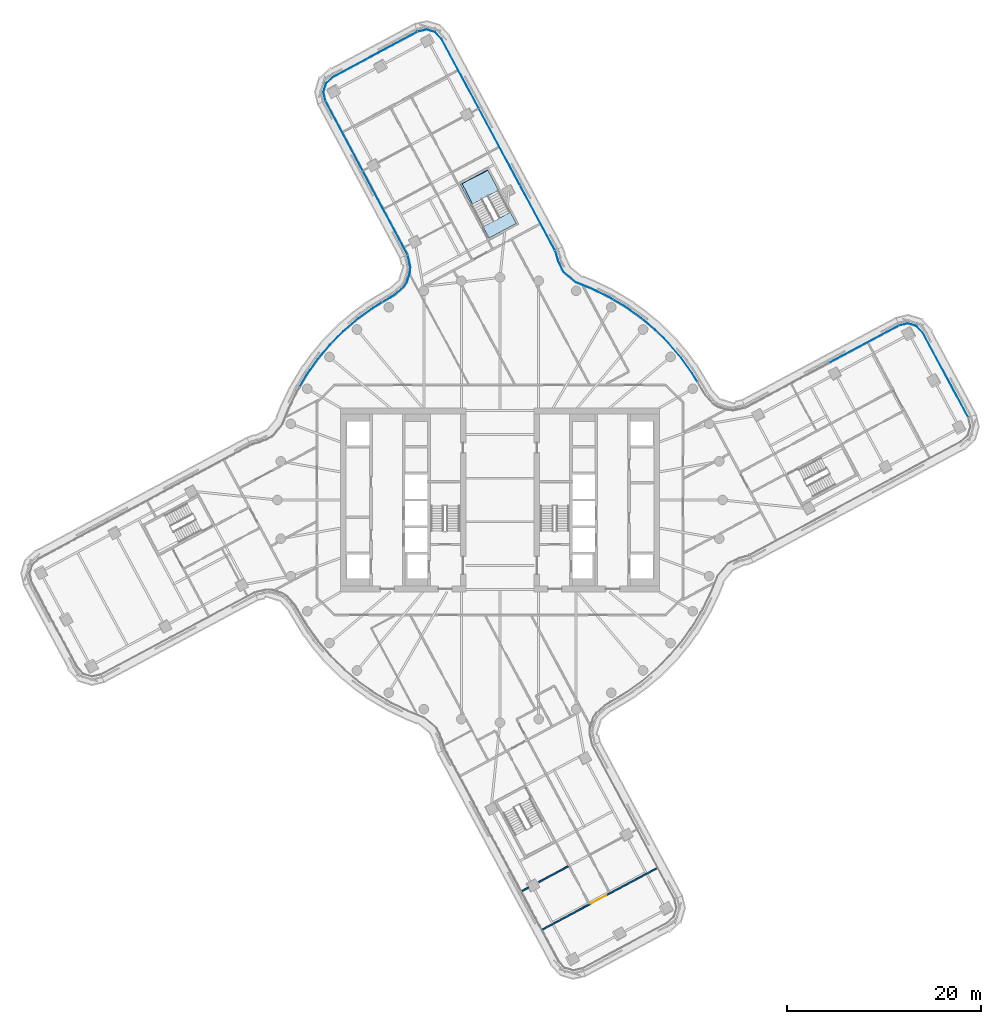
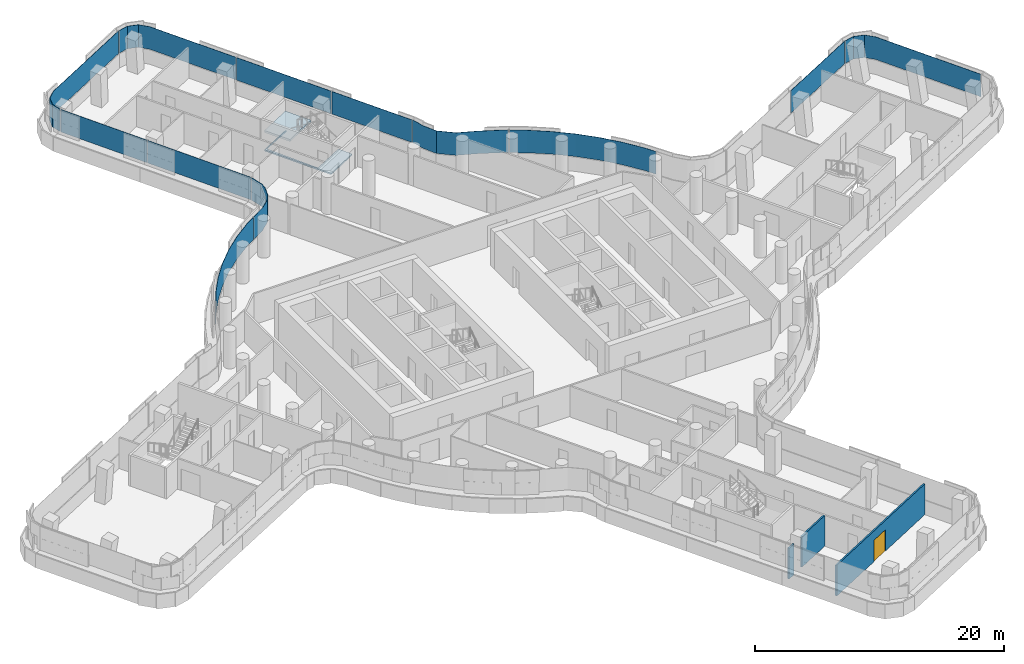
# One storey, part 18 of 33: 12 plates, 3 walls, 2 slabs, 1 door, 1 opening, 8 elements without a shape of their own.
"""IFC4 building model written with IfcOpenShell, lengths in metres."""

from ifc_helpers import new_model, si_unit, direction, frame, frame_2d, origin, place, context, subcontext, project, spatial, polyline, rectangle, outline, extrude, material, layer, layer_set, type_object, element, fill, aggregate, save


model = new_model("IFC4")

# Units and contexts
model_context = context("Model", 3, precision=1e-05, world=origin(), true_north=direction((0.0, 1.0)))
body_context = subcontext(model_context, "Body", "Model", "MODEL_VIEW")
ifc_project = project(units=[si_unit("LENGTHUNIT", "METRE"), si_unit("AREAUNIT", "SQUARE_METRE"), si_unit("VOLUMEUNIT", "CUBIC_METRE"), si_unit("PLANEANGLEUNIT", "RADIAN"), si_unit("MASSUNIT", "GRAM", prefix="KILO")], contexts=[model_context])

# Site, building, storey
site_placement = place(None, origin())
site = spatial("IfcSite", under=ifc_project, at=site_placement, CompositionType="ELEMENT")
building_placement = place(site_placement, origin())
building = spatial("IfcBuilding", under=site, at=building_placement, Name="Tamarind Cross Interchange Tower", CompositionType="ELEMENT")
storey_placement = place(building_placement, frame((0.0, 0.0, 136.75)))
storey = spatial("IfcBuildingStorey", under=building, at=storey_placement, Name="L33", CompositionType="ELEMENT", Elevation=136.75)

# Slab
ifc_material_1 = material(Name="Concrete C35", Category="concrete")
ifc_layer_1 = layer(ifc_material_1, 0.139892578125)
ifc_layer_set_1 = layer_set([ifc_layer_1], Name="Concrete C35")
slab_type_1 = type_object("IfcSlabType", Name="Composite slab 140 Concrete C35", PredefinedType="FLOOR", material=ifc_layer_set_1)
slab_1_placement = place(storey_placement, frame((0.0, 0.0, -0.139892578125)))
element("IfcSlab", 1, at=slab_1_placement, inside=storey, type_object=slab_type_1, Name="Floor slab L33", PredefinedType="FLOOR", context=body_context, shape_type="SweptSolid", body=[
    extrude(outline(polyline([(-1.1298828125, 27.06787109375), (1.690185546875, 28.58056640625), (1.109130859375, 29.663818359375), (1.070068359375, 29.73681640625), (-1.648193359375, 28.278564453125), (-3.91357421875, 32.692626953125), (-1.2490234375, 34.06005859375), (-1.287841796875, 34.132080078125), (-4.10791015625, 32.61962890625), (-1.1298828125, 27.06787109375)])), origin(), (0.0, 0.0, 1.0), 0.139892578125),
])

# Stair, slab
ifc_material_2 = material(Name="Exit stair")
stair_type = type_object("IfcStairType", Name="Exit stair", PredefinedType="HALF_TURN_STAIR", material=ifc_material_2)
stair_placement = place(storey_placement, origin())
stair = element("IfcStair", 2, at=stair_placement, inside=storey, type_object=stair_type, Name="L33 exit stair ST4", PredefinedType="HALF_TURN_STAIR")
ifc_material_3 = material(Name="Concrete C40", Category="concrete")
ifc_layer_2 = layer(ifc_material_3, 0.199951171875)
ifc_layer_set_2 = layer_set([ifc_layer_2], Name="Concrete C40")
slab_type_2 = type_object("IfcSlabType", Name="Stair landing", PredefinedType="LANDING", material=ifc_layer_set_2)
slab_2_placement = place(storey_placement, frame((0.0, 0.0, 1.675048828125)))
slab_2 = element("IfcSlab", 3, at=slab_2_placement, type_object=slab_type_2, Name="ST4 landing 1", PredefinedType="LANDING", context=body_context, shape_type="SweptSolid", body=[
    extrude(outline(polyline([(-0.147705078125, 32.0068359375), (-1.287841796875, 34.13232421875), (-4.107666015625, 32.61962890625), (-2.967529296875, 30.494140625), (-0.147705078125, 32.0068359375)])), origin(), (0.0, 0.0, 1.0), 0.199951171875),
])
aggregate(stair, [slab_2])

# Curtain wall, plate
ifc_material_4 = material(Name="Aluminium 6063-T6", Category="aluminium")
ifc_layer_3 = layer(ifc_material_4, 0.159912109375)
ifc_layer_set_3 = layer_set([ifc_layer_3], Name="Aluminium 6063-T6")
curtain_wall_type = type_object("IfcCurtainWallType", Name="Office curtain wall, 9.0 m bays", PredefinedType="NOTDEFINED", material=ifc_layer_set_3)
curtain_wall_1_placement = place(storey_placement, origin())
curtain_wall_1 = element("IfcCurtainWall", 4, at=curtain_wall_1_placement, inside=storey, type_object=curtain_wall_type, Name="CWS-L33-00", PredefinedType="NOTDEFINED")
ifc_material_5 = material(Name="Laminated low-e glass 8+1.52+8", Category="glass")
ifc_layer_4 = layer(ifc_material_5, 0.028076171875)
ifc_layer_set_4 = layer_set([ifc_layer_4], Name="Laminated low-e glass 8+1.52+8")
plate_type = type_object("IfcPlateType", Name="Vision panel CW1", PredefinedType="CURTAIN_PANEL", material=ifc_layer_set_4)
plate_1_placement = place(storey_placement, frame((0.0, 0.0, 1.39990234375)))
plate_1 = element("IfcPlate", 5, at=plate_1_placement, type_object=plate_type, Name="CWP-L33-00-00", PredefinedType="CURTAIN_PANEL", context=body_context, shape_type="SweptSolid", body=[
    extrude(outline(polyline([(-8.535888671875, 48.371337890625), (-17.273681640625, 43.684326171875), (-17.9658203125, 43.0341796875), (-18.23193359375, 42.15283203125), (-18.021240234375, 41.25537109375), (-18.048583984375, 41.2490234375), (-18.2607421875, 42.153564453125), (-17.990478515625, 43.04931640625), (-17.290283203125, 43.707275390625), (-8.549072265625, 48.39599609375), (-8.535888671875, 48.371337890625)])), origin(), (0.0, 0.0, 1.0), 2.210205078125),
])
aggregate(curtain_wall_1, [plate_1])

# Curtain wall, plates
curtain_wall_2_placement = place(storey_placement, origin())
curtain_wall_2 = element("IfcCurtainWall", 6, at=curtain_wall_2_placement, inside=storey, type_object=curtain_wall_type, Name="CWS-L33-01", PredefinedType="NOTDEFINED")
plate_2_placement = place(storey_placement, frame((0.0, 0.0, 1.39990234375)))
plate_2 = element("IfcPlate", 7, at=plate_2_placement, type_object=plate_type, Name="CWP-L33-01-00", PredefinedType="CURTAIN_PANEL", context=body_context, shape_type="SweptSolid", body=[
    extrude(outline(polyline([(-18.00146484375, 41.203125), (-14.17333984375, 34.03271484375), (-14.197998046875, 34.01953125), (-18.026123046875, 41.18994140625), (-18.00146484375, 41.203125)])), origin(), (0.0, 0.0, 1.0), 2.210205078125),
])
plate_3_placement = place(storey_placement, frame((0.0, 0.0, 1.39990234375)))
plate_3 = element("IfcPlate", 8, at=plate_3_placement, type_object=plate_type, Name="CWP-L33-01-01", PredefinedType="CURTAIN_PANEL", context=body_context, shape_type="SweptSolid", body=[
    extrude(outline(polyline([(-14.145263671875, 33.979736328125), (-9.54248046875, 25.358154296875), (-9.567138671875, 25.344970703125), (-14.169921875, 33.966552734375), (-14.145263671875, 33.979736328125)])), origin(), (0.0, 0.0, 1.0), 2.210205078125),
])
aggregate(curtain_wall_2, [plate_2, plate_3])

curtain_wall_3_placement = place(storey_placement, origin())
curtain_wall_3 = element("IfcCurtainWall", 9, at=curtain_wall_3_placement, inside=storey, type_object=curtain_wall_type, Name="CWS-L33-02", PredefinedType="NOTDEFINED")
plate_4_placement = place(storey_placement, frame((0.0, 0.0, 1.39990234375)))
plate_4 = element("IfcPlate", 10, at=plate_4_placement, type_object=plate_type, Name="CWP-L33-02-00", PredefinedType="CURTAIN_PANEL", context=body_context, shape_type="SweptSolid", body=[
    extrude(outline(polyline([(-9.520263671875, 25.299072265625), (-9.2509765625, 24.118408203125), (-9.2763671875, 23.541259765625), (-9.6162109375, 22.487060546875), (-9.932861328125, 22.003662109375), (-10.859130859375, 21.1865234375), (-11.402587890625, 20.870361328125), (-12.14697265625, 20.42236328125), (-12.161376953125, 20.4462890625), (-11.416748046875, 20.894287109375), (-10.87548828125, 21.20947265625), (-9.9541015625, 22.022216796875), (-9.6416015625, 22.499267578125), (-9.303955078125, 23.546142578125), (-9.279052734375, 24.115966796875), (-9.547607421875, 25.292724609375), (-9.520263671875, 25.299072265625)])), origin(), (0.0, 0.0, 1.0), 2.210205078125),
])
plate_5_placement = place(storey_placement, frame((0.0, 0.0, 1.39990234375)))
plate_5 = element("IfcPlate", 11, at=plate_5_placement, type_object=plate_type, Name="CWP-L33-02-01", PredefinedType="CURTAIN_PANEL", context=body_context, shape_type="SweptSolid", body=[
    extrude(outline(polyline([(-12.198486328125, 20.391357421875), (-13.093017578125, 19.85302734375), (-14.687744140625, 18.7041015625), (-16.18212890625, 17.42724609375), (-17.56591796875, 16.031494140625), (-18.829833984375, 14.526123046875), (-19.965087890625, 12.921630859375), (-20.684814453125, 11.701904296875), (-20.708740234375, 11.71630859375), (-19.988525390625, 12.936767578125), (-18.85205078125, 14.543212890625), (-17.586669921875, 16.05029296875), (-16.201171875, 17.44775390625), (-14.705078125, 18.72607421875), (-13.1083984375, 19.87646484375), (-12.212890625, 20.415283203125), (-12.198486328125, 20.391357421875)])), origin(), (0.0, 0.0, 1.0), 2.210205078125),
])
aggregate(curtain_wall_3, [plate_4, plate_5])

# Curtain wall, plate
curtain_wall_4_placement = place(storey_placement, origin())
curtain_wall_4 = element("IfcCurtainWall", 12, at=curtain_wall_4_placement, inside=storey, type_object=curtain_wall_type, Name="CWS-L33-12", PredefinedType="NOTDEFINED")
plate_6_placement = place(storey_placement, frame((0.0, 0.0, 1.39990234375)))
plate_6 = element("IfcPlate", 13, at=plate_6_placement, type_object=plate_type, Name="CWP-L33-12-00", PredefinedType="CURTAIN_PANEL", context=body_context, shape_type="SweptSolid", body=[
    extrude(outline(polyline([(48.371337890625, 8.535888671875), (43.684326171875, 17.273681640625), (43.0341796875, 17.9658203125), (42.15283203125, 18.23193359375), (41.25537109375, 18.021240234375), (41.2490234375, 18.048583984375), (42.153564453125, 18.2607421875), (43.04931640625, 17.990478515625), (43.707275390625, 17.290283203125), (48.39599609375, 8.549072265625), (48.371337890625, 8.535888671875)])), origin(), (0.0, 0.0, 1.0), 2.210205078125),
])
aggregate(curtain_wall_4, [plate_6])

curtain_wall_5_placement = place(storey_placement, origin())
curtain_wall_5 = element("IfcCurtainWall", 14, at=curtain_wall_5_placement, inside=storey, type_object=curtain_wall_type, Name="CWS-L33-13", PredefinedType="NOTDEFINED")
plate_7_placement = place(storey_placement, frame((0.0, 0.0, 1.39990234375)))
plate_7 = element("IfcPlate", 15, at=plate_7_placement, type_object=plate_type, Name="CWP-L33-13-00", PredefinedType="CURTAIN_PANEL", context=body_context, shape_type="SweptSolid", body=[
    extrude(outline(polyline([(41.203125, 18.00146484375), (34.03271484375, 14.17333984375), (34.01953125, 14.197998046875), (41.18994140625, 18.026123046875), (41.203125, 18.00146484375)])), origin(), (0.0, 0.0, 1.0), 2.210205078125),
])
aggregate(curtain_wall_5, [plate_7])

# Curtain wall, plates
curtain_wall_6_placement = place(storey_placement, origin())
curtain_wall_6 = element("IfcCurtainWall", 16, at=curtain_wall_6_placement, inside=storey, type_object=curtain_wall_type, Name="CWS-L33-14", PredefinedType="NOTDEFINED")
plate_8_placement = place(storey_placement, frame((0.0, 0.0, 1.39990234375)))
plate_8 = element("IfcPlate", 17, at=plate_8_placement, type_object=plate_type, Name="CWP-L33-14-01", PredefinedType="CURTAIN_PANEL", context=body_context, shape_type="SweptSolid", body=[
    extrude(outline(polyline([(20.391357421875, 12.198486328125), (19.85302734375, 13.093017578125), (18.7041015625, 14.687744140625), (17.42724609375, 16.18212890625), (16.031494140625, 17.56591796875), (14.526123046875, 18.829833984375), (12.921630859375, 19.965087890625), (11.701904296875, 20.684814453125), (11.71630859375, 20.708740234375), (12.936767578125, 19.988525390625), (14.543212890625, 18.85205078125), (16.05029296875, 17.586669921875), (17.44775390625, 16.201171875), (18.72607421875, 14.705078125), (19.87646484375, 13.1083984375), (20.415283203125, 12.212890625), (20.391357421875, 12.198486328125)])), origin(), (0.0, 0.0, 1.0), 2.210205078125),
])
plate_9_placement = place(storey_placement, frame((0.0, 0.0, 1.39990234375)))
plate_9 = element("IfcPlate", 18, at=plate_9_placement, type_object=plate_type, Name="CWP-L33-14-02", PredefinedType="CURTAIN_PANEL", context=body_context, shape_type="SweptSolid", body=[
    extrude(outline(polyline([(11.650390625, 20.71533203125), (11.228759765625, 20.9638671875), (9.457275390625, 21.820556640625), (7.822998046875, 22.489990234375), (6.57470703125, 23.515625), (5.972412109375, 24.76123046875), (5.8369140625, 25.338134765625), (5.67236328125, 25.77294921875), (5.69873046875, 25.782958984375), (5.86376953125, 25.34619140625), (5.998779296875, 24.7705078125), (6.59716796875, 23.533447265625), (7.837646484375, 22.51416015625), (9.468505859375, 21.84619140625), (11.241943359375, 20.98876953125), (11.66455078125, 20.7392578125), (11.650390625, 20.71533203125)])), origin(), (0.0, 0.0, 1.0), 2.210205078125),
])
aggregate(curtain_wall_6, [plate_8, plate_9])

curtain_wall_7_placement = place(storey_placement, origin())
curtain_wall_7 = element("IfcCurtainWall", 19, at=curtain_wall_7_placement, inside=storey, type_object=curtain_wall_type, Name="CWS-L33-15", PredefinedType="NOTDEFINED")
plate_10_placement = place(storey_placement, frame((0.0, 0.0, 1.39990234375)))
plate_10 = element("IfcPlate", 20, at=plate_10_placement, type_object=plate_type, Name="CWP-L33-15-00", PredefinedType="CURTAIN_PANEL", context=body_context, shape_type="SweptSolid", body=[
    extrude(outline(polyline([(5.6484375, 25.82568359375), (2.0703125, 32.496337890625), (2.094970703125, 32.509521484375), (5.673095703125, 25.839111328125), (5.6484375, 25.82568359375)])), origin(), (0.0, 0.0, 1.0), 2.210205078125),
])
plate_11_placement = place(storey_placement, frame((0.0, 0.0, 1.39990234375)))
plate_11 = element("IfcPlate", 21, at=plate_11_placement, type_object=plate_type, Name="CWP-L33-15-01", PredefinedType="CURTAIN_PANEL", context=body_context, shape_type="SweptSolid", body=[
    extrude(outline(polyline([(2.0419921875, 32.54931640625), (-2.17724609375, 40.414794921875), (-2.152587890625, 40.427978515625), (2.066650390625, 32.5625), (2.0419921875, 32.54931640625)])), origin(), (0.0, 0.0, 1.0), 2.210205078125),
])
plate_12_placement = place(storey_placement, frame((0.0, 0.0, 1.39990234375)))
plate_12 = element("IfcPlate", 22, at=plate_12_placement, type_object=plate_type, Name="CWP-L33-15-02", PredefinedType="CURTAIN_PANEL", context=body_context, shape_type="SweptSolid", body=[
    extrude(outline(polyline([(-2.20556640625, 40.4677734375), (-6.054931640625, 47.6435546875), (-6.705078125, 48.335693359375), (-7.58642578125, 48.601806640625), (-8.483642578125, 48.39111328125), (-8.489990234375, 48.41845703125), (-7.58544921875, 48.630615234375), (-6.68994140625, 48.3603515625), (-6.031982421875, 47.66015625), (-2.180908203125, 40.48095703125), (-2.20556640625, 40.4677734375)])), origin(), (0.0, 0.0, 1.0), 2.210205078125),
])
aggregate(curtain_wall_7, [plate_10, plate_11, plate_12])

# Walls
ifc_material_6 = material(Name="Gypsum board partition on steel studs", Category="steel")
ifc_layer_5 = layer(ifc_material_6, 0.14990234375)
ifc_layer_set_5 = layer_set([ifc_layer_5], Name="Gypsum board partition on steel studs")
wall_type = type_object("IfcWallType", Name="Partition 150 mm EI 120", PredefinedType="PARTITIONING", material=ifc_layer_set_5)
wall_1_placement = place(storey_placement, frame((2.274169921875, -40.411376953125, 0.0), z_axis=(0.0, 0.0, 1.0), x_axis=(0.881270721507, 0.472611802027, 0.0)))
element("IfcWall", 23, at=wall_1_placement, inside=storey, type_object=wall_type, Name="Partition L33-060", PredefinedType="PARTITIONING", context=body_context, shape_type="SweptSolid", body=[
    extrude(rectangle(XDim=0.763427734375, YDim=0.14990234375, at=frame_2d((0.3818359375, 0.0))), origin(), (0.0, 0.0, 1.0), 3.010009765625),
])
wall_2_placement = place(storey_placement, frame((3.99951171875, -39.48583984375, 0.0), z_axis=(0.0, 0.0, 1.0), x_axis=(0.881225392713, 0.472696316082, 0.0)))
element("IfcWall", 24, at=wall_2_placement, inside=storey, type_object=wall_type, Name="Partition L33-061", PredefinedType="PARTITIONING", context=body_context, shape_type="SweptSolid", body=[
    extrude(rectangle(XDim=3.466064453125, YDim=0.14990234375, at=frame_2d((1.73291015625, 0.0))), origin(), (0.0, 0.0, 1.0), 3.010009765625),
])

# Wall, opening, door
wall_3_placement = place(storey_placement, frame((4.401611328125, -44.377685546875, 0.0), z_axis=(0.0, 0.0, 1.0), x_axis=(0.881195798232, 0.472751483528, 0.0)))
wall_3 = element("IfcWall", 25, at=wall_3_placement, inside=storey, type_object=wall_type, Name="Partition L33-064", PredefinedType="PARTITIONING", context=body_context, shape_type="SweptSolid", body=[
    extrude(rectangle(XDim=13.4052734375, YDim=0.14990234375, at=frame_2d((6.70263671875, 0.0))), origin(), (0.0, 0.0, 1.0), 3.010009765625),
])
opening_placement = place(wall_3_placement, frame((5.648681640625, 0.0, 0.0)))
opening = element("IfcOpeningElement", 26, at=opening_placement, cuts=wall_3, Name="Opening D37", PredefinedType="OPENING", context=body_context, shape_type="SweptSolid", body=[
    extrude(rectangle(XDim=1.800048828125, YDim=2.10009765625, at=frame_2d((0.89990234375, 1.050048828125))), frame((0.0, 0.0849609375, 0.0), z_axis=(0.0, -1.0, 0.0), x_axis=(1.0, 0.0, 0.0)), (0.0, 0.0, 1.0), 0.169921875),
])
ifc_material_7 = material(Name="Fire-resisting door set")
door_type = type_object("IfcDoorType", Name="Interior door 1800 x 2100 FD60S", OperationType="DOUBLE_DOOR_SINGLE_SWING", PredefinedType="DOOR", material=ifc_material_7)
door_placement = place(opening_placement, frame((1.800048828125, 0.0, 0.0), z_axis=(0.0, 0.0, 1.0), x_axis=(-1.0, 0.0, 0.0)))
door = element("IfcDoor", 27, at=door_placement, inside=storey, type_object=door_type, Name="Door D37", OperationType="DOUBLE_DOOR_SINGLE_SWING", OverallHeight=2.10009765625, OverallWidth=1.800048828125, PredefinedType="DOOR", context=body_context, shape_type="SweptSolid", body=[
    extrude(rectangle(XDim=1.800048828125, YDim=2.10009765625, at=frame_2d((0.89990234375, 1.050048828125))), frame((0.0, 0.02490234375, 0.0), z_axis=(0.0, -1.0, 0.0), x_axis=(1.0, 0.0, 0.0)), (0.0, 0.0, 1.0), 0.050048828125),
])
fill(opening, door)

save(model, "model.ifc")
